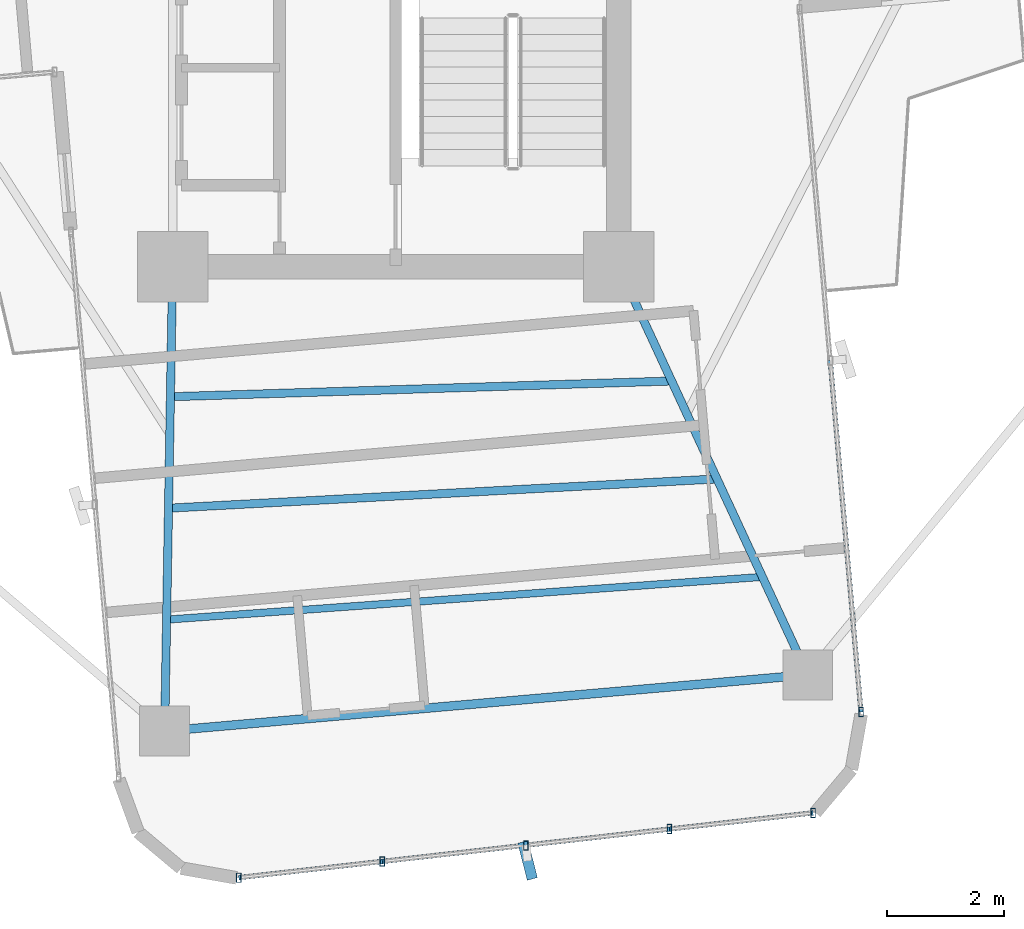
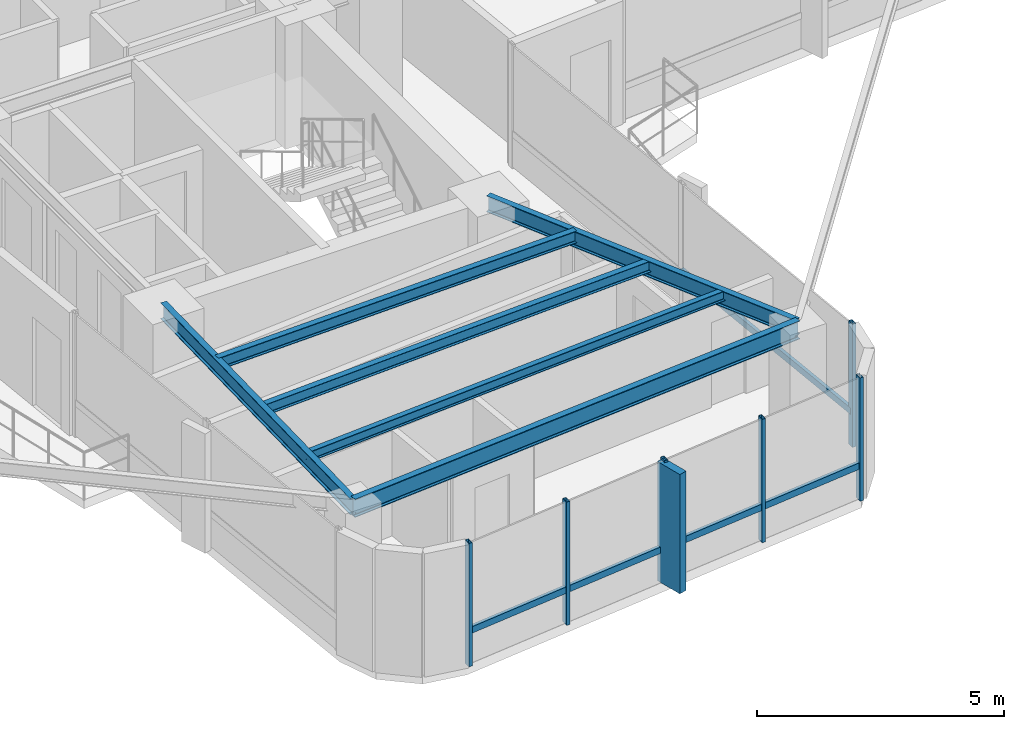
# One storey, part 6 of 24: 12 members, 6 beams, 2 elements without a shape of their own.
"""IFC4 building model written with IfcOpenShell, lengths in metres."""

from ifc_helpers import new_model, si_unit, direction, frame, origin, origin_2d, place, context, subcontext, project, spatial, rectangle, hollow_rectangle, i_section, extrude, source, transform, mapped, material, material_profile, profile_set, type_object, element, aggregate, save


model = new_model("IFC4")

# Units and contexts
model_context = context("Model", 3, precision=1e-05, world=origin(), true_north=direction((0.0, 1.0)))
body_context = subcontext(model_context, "Body", "Model", "MODEL_VIEW")
ifc_project = project(units=[si_unit("LENGTHUNIT", "METRE"), si_unit("AREAUNIT", "SQUARE_METRE"), si_unit("VOLUMEUNIT", "CUBIC_METRE"), si_unit("PLANEANGLEUNIT", "RADIAN"), si_unit("MASSUNIT", "GRAM", prefix="KILO")], contexts=[model_context])

# Site, building, storey
site_placement = place(None, origin())
site = spatial("IfcSite", under=ifc_project, at=site_placement, CompositionType="ELEMENT")
building_placement = place(site_placement, origin())
building = spatial("IfcBuilding", under=site, at=building_placement, Name="Sahyath Konkavel Grand Hotel", CompositionType="ELEMENT")
storey_placement = place(building_placement, frame((0.0, 0.0, 167.35009765625)))
storey = spatial("IfcBuildingStorey", under=building, at=storey_placement, Name="L46", CompositionType="ELEMENT", Elevation=167.35009765625)

# Beams
ifc_material_1 = material(Name="Steel E350", Category="steel")
ifc_material_profile_1 = material_profile(ifc_material_1, i_section(OverallWidth=0.139892578125, OverallDepth=0.39990234375, WebThickness=0.0087890625, FlangeThickness=0.01611328125, FilletRadius=0.013916015625, at=origin_2d()), Name="ISMB 400")
ifc_profile_set_1 = profile_set([ifc_material_profile_1], Name="Steel E350")
beam_type_1 = type_object("IfcBeamType", Name="BM-ISMB400", PredefinedType="BEAM", material=ifc_profile_set_1)
shared_shape_1 = source(origin(), body_context, "Body", "SweptSolid", [
    extrude(i_section(OverallWidth=0.139892578125, OverallDepth=0.39990234375, WebThickness=0.0087890625, FlangeThickness=0.01611328125, FilletRadius=0.013916015625, at=origin_2d()), origin(), (0.0, 0.0, 1.0), 7.913330078125),
])
beam_1_placement = place(storey_placement, frame((-3.800048828125, -10.199951171875, 2.849853515625), z_axis=(-0.017215419232, -0.999851803689, 0.0), x_axis=(0.999851803689, -0.017215419232, 0.0)))
element("IfcBeam", 1, at=beam_1_placement, inside=storey, type_object=beam_type_1, Name="L46 Cruciform Radial Girder SA", PredefinedType="BEAM", context=body_context, shape_type="MappedRepresentation", body=[
    mapped(shared_shape_1, transform((0.0, 0.0, 0.0), scale=1.0)),
])
shared_shape_2 = source(origin(), body_context, "Body", "SweptSolid", [
    extrude(i_section(OverallWidth=0.139892578125, OverallDepth=0.39990234375, WebThickness=0.0087890625, FlangeThickness=0.01611328125, FilletRadius=0.013916015625, at=origin_2d()), origin(), (0.0, 0.0, 1.0), 7.66357421875),
])
beam_2_placement = place(storey_placement, frame((3.800048828125, -10.199951171875, 2.849853515625), z_axis=(0.420395127561, -0.907341135804, 0.0), x_axis=(0.907341135804, 0.420395127561, 0.0)))
element("IfcBeam", 2, at=beam_2_placement, inside=storey, type_object=beam_type_1, Name="L46 Cruciform Radial Girder SB", PredefinedType="BEAM", context=body_context, shape_type="MappedRepresentation", body=[
    mapped(shared_shape_2, transform((0.0, 0.0, 0.0), scale=1.0)),
])
ifc_material_profile_2 = material_profile(ifc_material_1, i_section(OverallWidth=0.14990234375, OverallDepth=0.449951171875, WebThickness=0.009521484375, FlangeThickness=0.017333984375, FilletRadius=0.014892578125, at=origin_2d()), Name="ISMB 450")
ifc_profile_set_2 = profile_set([ifc_material_profile_2], Name="Steel E350")
beam_type_2 = type_object("IfcBeamType", Name="BM-ISMB450", PredefinedType="BEAM", material=ifc_profile_set_2)
shared_shape_3 = source(origin(), body_context, "Body", "SweptSolid", [
    extrude(i_section(OverallWidth=0.14990234375, OverallDepth=0.449951171875, WebThickness=0.009521484375, FlangeThickness=0.017333984375, FilletRadius=0.014892578125, at=origin_2d()), origin(), (0.0, 0.0, 1.0), 10.999755859375),
])
beam_3_placement = place(storey_placement, frame((-3.936279296875, -18.112060546875, 2.824951171875), z_axis=(0.99619439202, 0.087159241098, 0.0), x_axis=(-0.087159241098, 0.99619439202, 0.0)))
element("IfcBeam", 3, at=beam_3_placement, inside=storey, type_object=beam_type_2, Name="L46 Wing Tip Edge Beam S", PredefinedType="BEAM", context=body_context, shape_type="MappedRepresentation", body=[
    mapped(shared_shape_3, transform((0.0, 0.0, 0.0), scale=1.0)),
])
ifc_material_profile_3 = material_profile(ifc_material_1, i_section(OverallWidth=0.139892578125, OverallDepth=0.300048828125, WebThickness=0.0078125, FlangeThickness=0.01318359375, FilletRadius=0.013916015625, at=origin_2d()), Name="ISMB 300")
ifc_profile_set_3 = profile_set([ifc_material_profile_3], Name="Steel E350")
beam_type_3 = type_object("IfcBeamType", Name="BM-ISMB300", PredefinedType="BEAM", material=ifc_profile_set_3)
shared_shape_4 = source(origin(), body_context, "Body", "SweptSolid", [
    extrude(i_section(OverallWidth=0.139892578125, OverallDepth=0.300048828125, WebThickness=0.0078125, FlangeThickness=0.01318359375, FilletRadius=0.013916015625, at=origin_2d()), origin(), (0.0, 0.0, 1.0), 8.54443359375),
])
beam_4_placement = place(storey_placement, frame((-3.838134765625, -12.415283203125, 2.89990234375), z_axis=(0.999506849365, 0.031401561632, 0.0), x_axis=(-0.031401561632, 0.999506849365, 0.0)))
element("IfcBeam", 4, at=beam_4_placement, inside=storey, type_object=beam_type_3, Name="L46 Secondary Floor Beam S-1", PredefinedType="BEAM", context=body_context, shape_type="MappedRepresentation", body=[
    mapped(shared_shape_4, transform((0.0, 0.0, 0.0), scale=1.0)),
])
ifc_material_profile_4 = material_profile(ifc_material_1, i_section(OverallWidth=0.139892578125, OverallDepth=0.27490234375, WebThickness=0.00634765625, FlangeThickness=0.0087890625, FilletRadius=0.012939453125, at=origin_2d()), Name="ISLB 275")
ifc_profile_set_4 = profile_set([ifc_material_profile_4], Name="Steel E350")
beam_type_4 = type_object("IfcBeamType", Name="BM-ISLB275", PredefinedType="BEAM", material=ifc_profile_set_4)
shared_shape_5 = source(origin(), body_context, "Body", "SweptSolid", [
    extrude(i_section(OverallWidth=0.139892578125, OverallDepth=0.27490234375, WebThickness=0.00634765625, FlangeThickness=0.0087890625, FilletRadius=0.012939453125, at=origin_2d()), origin(), (0.0, 0.0, 1.0), 9.359375),
])
beam_5_placement = place(storey_placement, frame((-3.870849609375, -14.314208984375, 2.912353515625), z_axis=(0.998580397723, 0.053265272769, 0.0), x_axis=(-0.053265272769, 0.998580397723, 0.0)))
element("IfcBeam", 5, at=beam_5_placement, inside=storey, type_object=beam_type_4, Name="L46 Secondary Floor Beam S-2", PredefinedType="BEAM", context=body_context, shape_type="MappedRepresentation", body=[
    mapped(shared_shape_5, transform((0.0, 0.0, 0.0), scale=1.0)),
])
ifc_material_profile_5 = material_profile(ifc_material_1, i_section(OverallWidth=0.125, OverallDepth=0.25, WebThickness=0.0068359375, FlangeThickness=0.012451171875, FilletRadius=0.012939453125, at=origin_2d()), Name="ISMB 250")
ifc_profile_set_5 = profile_set([ifc_material_profile_5], Name="Steel E350")
beam_type_5 = type_object("IfcBeamType", Name="BM-ISMB250", PredefinedType="BEAM", material=ifc_profile_set_5)
shared_shape_6 = source(origin(), body_context, "Body", "SweptSolid", [
    extrude(i_section(OverallWidth=0.125, OverallDepth=0.25, WebThickness=0.0068359375, FlangeThickness=0.012451171875, FilletRadius=0.012939453125, at=origin_2d()), origin(), (0.0, 0.0, 1.0), 10.178466796875),
])
beam_6_placement = place(storey_placement, frame((-3.90380859375, -16.213134765625, 2.9248046875), z_axis=(0.997435268886, 0.071574327683, 0.0), x_axis=(-0.071574327683, 0.997435268886, 0.0)))
element("IfcBeam", 6, at=beam_6_placement, inside=storey, type_object=beam_type_5, Name="L46 Secondary Floor Beam S-3", PredefinedType="BEAM", context=body_context, shape_type="MappedRepresentation", body=[
    mapped(shared_shape_6, transform((0.0, 0.0, 0.0), scale=1.0)),
])

# Curtain wall, members
ifc_material_2 = material(Name="Anodised Bronze Aluminium & Low-E Glazing", Category="aluminium")
curtain_wall_type = type_object("IfcCurtainWallType", Name="CW-ZONE3", PredefinedType="NOTDEFINED", material=ifc_material_2)
curtain_wall_1_placement = place(storey_placement, origin())
curtain_wall_1 = element("IfcCurtainWall", 7, at=curtain_wall_1_placement, inside=storey, type_object=curtain_wall_type, Name="L46 Unitised Curtain Wall F28", PredefinedType="NOTDEFINED")
ifc_material_3 = material(Name="Anodised Bronze Aluminium", Category="aluminium")
ifc_material_profile_6 = material_profile(ifc_material_3, hollow_rectangle(XDim=0.080078125, YDim=0.159912109375, WallThickness=0.006103515625, at=origin_2d()), Name="RHS 160x80x6")
ifc_profile_set_6 = profile_set([ifc_material_profile_6], Name="Anodised Bronze Aluminium")
member_type_1 = type_object("IfcMemberType", Name="CW-MUL-160", PredefinedType="MULLION", material=ifc_profile_set_6)
shared_shape_7 = source(origin(), body_context, "Body", "SweptSolid", [
    extrude(hollow_rectangle(XDim=0.080078125, YDim=0.159912109375, WallThickness=0.006103515625, at=origin_2d()), origin(), (0.0, 0.0, 1.0), 3.0498046875),
])
member_1_placement = place(storey_placement, frame((-2.673828125, -20.610595703125, 0.0), z_axis=(0.0, 0.0, 1.0), x_axis=(1.0, 0.0, 0.0)))
member_1 = element("IfcMember", 8, at=member_1_placement, type_object=member_type_1, Name="L46 Curtain Wall Mullion F28-0", PredefinedType="MULLION", context=body_context, shape_type="MappedRepresentation", body=[
    mapped(shared_shape_7, transform((0.0, 0.0, 0.0), scale=1.0)),
])
member_2_placement = place(storey_placement, frame((-0.227294921875, -20.334716796875, 0.0), z_axis=(0.0, 0.0, 1.0), x_axis=(1.0, 0.0, 0.0)))
member_2 = element("IfcMember", 9, at=member_2_placement, type_object=member_type_1, Name="L46 Curtain Wall Mullion F28-1", PredefinedType="MULLION", context=body_context, shape_type="MappedRepresentation", body=[
    mapped(shared_shape_7, transform((0.0, 0.0, 0.0), scale=1.0)),
])
member_3_placement = place(storey_placement, frame((2.21923828125, -20.05908203125, 0.0), z_axis=(0.0, 0.0, 1.0), x_axis=(1.0, 0.0, 0.0)))
member_3 = element("IfcMember", 10, at=member_3_placement, type_object=member_type_1, Name="L46 Curtain Wall Mullion F28-2", PredefinedType="MULLION", context=body_context, shape_type="MappedRepresentation", body=[
    mapped(shared_shape_7, transform((0.0, 0.0, 0.0), scale=1.0)),
])
member_4_placement = place(storey_placement, frame((4.665771484375, -19.783203125, 0.0), z_axis=(0.0, 0.0, 1.0), x_axis=(1.0, 0.0, 0.0)))
member_4 = element("IfcMember", 11, at=member_4_placement, type_object=member_type_1, Name="L46 Curtain Wall Mullion F28-3", PredefinedType="MULLION", context=body_context, shape_type="MappedRepresentation", body=[
    mapped(shared_shape_7, transform((0.0, 0.0, 0.0), scale=1.0)),
])
member_5_placement = place(storey_placement, frame((7.1123046875, -19.507568359375, 0.0), z_axis=(0.0, 0.0, 1.0), x_axis=(1.0, 0.0, 0.0)))
member_5 = element("IfcMember", 12, at=member_5_placement, type_object=member_type_1, Name="L46 Curtain Wall Mullion F28-4", PredefinedType="MULLION", context=body_context, shape_type="MappedRepresentation", body=[
    mapped(shared_shape_7, transform((0.0, 0.0, 0.0), scale=1.0)),
])

# Curtain wall, member
curtain_wall_2_placement = place(storey_placement, origin())
curtain_wall_2 = element("IfcCurtainWall", 13, at=curtain_wall_2_placement, inside=storey, type_object=curtain_wall_type, Name="L46 Unitised Curtain Wall F31", PredefinedType="NOTDEFINED")
member_6_placement = place(storey_placement, frame((7.930419921875, -17.78662109375, 0.0), z_axis=(0.0, 0.0, 1.0), x_axis=(1.0, 0.0, 0.0)))
member_6 = element("IfcMember", 14, at=member_6_placement, type_object=member_type_1, Name="L46 Curtain Wall Mullion F31-0", PredefinedType="MULLION", context=body_context, shape_type="MappedRepresentation", body=[
    mapped(shared_shape_7, transform((0.0, 0.0, 0.0), scale=1.0)),
])

# Member
ifc_material_4 = material(Name="Warm Buff Sandstone Cladding on Concrete C50/60", Category="masonry")
ifc_material_profile_7 = material_profile(ifc_material_4, rectangle(XDim=0.179931640625, YDim=0.64990234375, at=origin_2d()), Name="FIN 180x650")
ifc_profile_set_7 = profile_set([ifc_material_profile_7], Name="Warm Buff Sandstone Cladding on Concrete C50/60")
member_type_2 = type_object("IfcMemberType", Name="FIN-SANDSTONE-650", PredefinedType="MULLION", material=ifc_profile_set_7)
shared_shape_8 = source(origin(), body_context, "Body", "SweptSolid", [
    extrude(rectangle(XDim=0.179931640625, YDim=0.64990234375, at=origin_2d()), origin(), (0.0, 0.0, 1.0), 2.9501953125),
])
member_7_placement = place(storey_placement, frame((2.248291015625, -20.3173828125, 0.0498046875), z_axis=(0.0, 0.0, 1.0), x_axis=(0.96862655095, 0.248520833726, 0.0)))
member_7 = element("IfcMember", 15, at=member_7_placement, type_object=member_type_2, Name="L46 Sandstone Vertical Solar Fin FIN F28-2", PredefinedType="MULLION", context=body_context, shape_type="MappedRepresentation", body=[
    mapped(shared_shape_8, transform((0.0, 0.0, 0.0), scale=1.0)),
])

ifc_material_profile_8 = material_profile(ifc_material_3, hollow_rectangle(XDim=0.080078125, YDim=0.159912109375, WallThickness=0.006103515625, at=origin_2d()), Name="RHS 160x80x6")
ifc_profile_set_8 = profile_set([ifc_material_profile_8], Name="Anodised Bronze Aluminium")
member_type_3 = type_object("IfcMemberType", Name="CW-TRN-160", PredefinedType="USERDEFINED", material=ifc_profile_set_8)
shared_shape_9 = source(origin(), body_context, "Body", "SweptSolid", [
    extrude(hollow_rectangle(XDim=0.080078125, YDim=0.159912109375, WallThickness=0.006103515625, at=origin_2d()), origin(), (0.0, 0.0, 1.0), 2.462158203125),
])
member_8_placement = place(storey_placement, frame((-2.673828125, -20.610595703125, 0.849853515625), z_axis=(0.99370222711, 0.112053040279, 0.0), x_axis=(-0.112053040279, 0.99370222711, 0.0)))
member_8 = element("IfcMember", 16, at=member_8_placement, type_object=member_type_3, Name="L46 Curtain Wall Transom F28-0-spandrel", ObjectType="TRANSOM", PredefinedType="USERDEFINED", context=body_context, shape_type="MappedRepresentation", body=[
    mapped(shared_shape_9, transform((0.0, 0.0, 0.0), scale=1.0)),
])

member_9_placement = place(storey_placement, frame((2.21923828125, -20.05908203125, 0.849853515625), z_axis=(0.99370222711, 0.112053040279, 0.0), x_axis=(-0.112053040279, 0.99370222711, 0.0)))
member_9 = element("IfcMember", 17, at=member_9_placement, type_object=member_type_3, Name="L46 Curtain Wall Transom F28-2-spandrel", ObjectType="TRANSOM", PredefinedType="USERDEFINED", context=body_context, shape_type="MappedRepresentation", body=[
    mapped(shared_shape_9, transform((0.0, 0.0, 0.0), scale=1.0)),
])

shared_shape_10 = source(origin(), body_context, "Body", "SweptSolid", [
    extrude(hollow_rectangle(XDim=0.080078125, YDim=0.159912109375, WallThickness=0.006103515625, at=origin_2d()), origin(), (0.0, 0.0, 1.0), 2.4619140625),
])
member_10_placement = place(storey_placement, frame((-0.227294921875, -20.334716796875, 0.849853515625), z_axis=(0.993713263833, 0.111955121731, 0.0), x_axis=(-0.111955121731, 0.993713263833, 0.0)))
member_10 = element("IfcMember", 18, at=member_10_placement, type_object=member_type_3, Name="L46 Curtain Wall Transom F28-1-spandrel", ObjectType="TRANSOM", PredefinedType="USERDEFINED", context=body_context, shape_type="MappedRepresentation", body=[
    mapped(shared_shape_10, transform((0.0, 0.0, 0.0), scale=1.0)),
])

member_11_placement = place(storey_placement, frame((4.665771484375, -19.783203125, 0.849853515625), z_axis=(0.993713263833, 0.111955121731, 0.0), x_axis=(-0.111955121731, 0.993713263833, 0.0)))
member_11 = element("IfcMember", 19, at=member_11_placement, type_object=member_type_3, Name="L46 Curtain Wall Transom F28-3-spandrel", ObjectType="TRANSOM", PredefinedType="USERDEFINED", context=body_context, shape_type="MappedRepresentation", body=[
    mapped(shared_shape_10, transform((0.0, 0.0, 0.0), scale=1.0)),
])

aggregate(curtain_wall_1, [member_1, member_2, member_3, member_7, member_4, member_5, member_8, member_10, member_9, member_11])

shared_shape_11 = source(origin(), body_context, "Body", "SweptSolid", [
    extrude(hollow_rectangle(XDim=0.080078125, YDim=0.159912109375, WallThickness=0.006103515625, at=origin_2d()), origin(), (0.0, 0.0, 1.0), 6.01025390625),
])
member_12_placement = place(storey_placement, frame((7.930419921875, -17.78662109375, 0.849853515625), z_axis=(-0.087172997156, 0.996193188376, 0.0), x_axis=(-0.996193188376, -0.087172997156, 0.0)))
member_12 = element("IfcMember", 20, at=member_12_placement, type_object=member_type_3, Name="L46 Curtain Wall Transom F31-0-spandrel", ObjectType="TRANSOM", PredefinedType="USERDEFINED", context=body_context, shape_type="MappedRepresentation", body=[
    mapped(shared_shape_11, transform((0.0, 0.0, 0.0), scale=1.0)),
])

aggregate(curtain_wall_2, [member_6, member_12])

save(model, "model.ifc")
